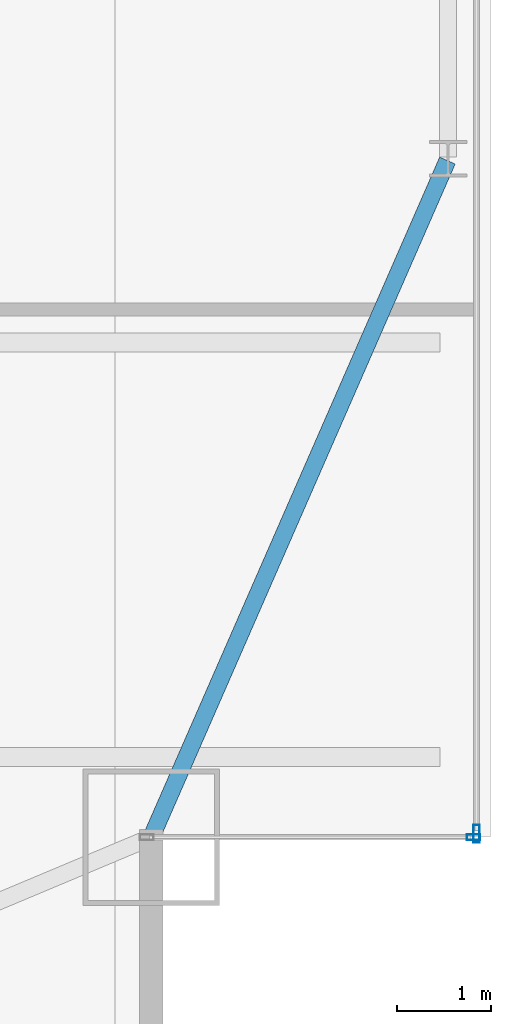
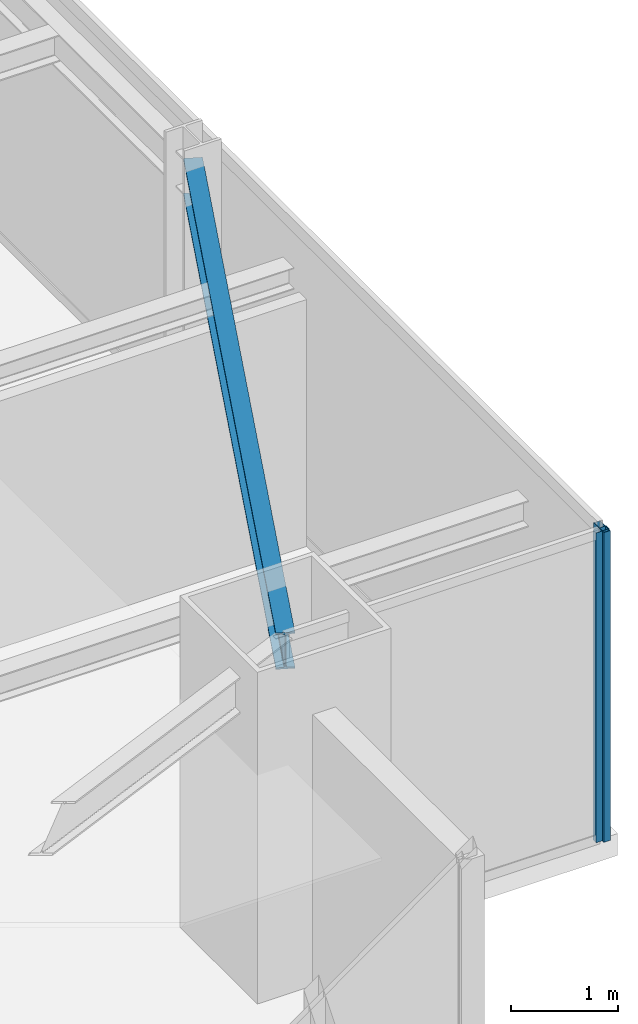
# One storey, part 16 of 30: 2 members, 1 beam, 2 elements without a shape of their own.
"""IFC4 building model written with IfcOpenShell, lengths in metres."""

from ifc_helpers import new_model, si_unit, direction, frame, origin, origin_2d, place, context, subcontext, project, spatial, hollow_rectangle, i_section, extrude, source, transform, mapped, material, layer, layer_set, material_profile, profile_set, type_object, type_shapes, element, aggregate, save


model = new_model("IFC4")

# Units and contexts
model_context = context("Model", 3, precision=1e-05, world=origin(), true_north=direction((0.0, 1.0)))
body_context = subcontext(model_context, "Body", "Model", "MODEL_VIEW")
ifc_project = project(units=[si_unit("LENGTHUNIT", "METRE"), si_unit("AREAUNIT", "SQUARE_METRE"), si_unit("VOLUMEUNIT", "CUBIC_METRE"), si_unit("PLANEANGLEUNIT", "RADIAN"), si_unit("MASSUNIT", "GRAM", prefix="KILO")], contexts=[model_context])

# Site, building, storey
site_placement = place(None, origin())
site = spatial("IfcSite", under=ifc_project, at=site_placement, CompositionType="ELEMENT")
building_placement = place(site_placement, origin())
building = spatial("IfcBuilding", under=site, at=building_placement, Name="Varnel Quay Broadcast Tower", CompositionType="ELEMENT")
storey_placement = place(building_placement, frame((0.0, 0.0, 122.0)))
storey = spatial("IfcBuildingStorey", under=building, at=storey_placement, Name="L29", CompositionType="ELEMENT", Elevation=122.0)

# Beam
ifc_material_1 = material(Name="Structural Steel CSA G40.21 350W", Category="steel")
ifc_material_profile_1 = material_profile(ifc_material_1, i_section(OverallWidth=0.180908203125, OverallDepth=0.4169921875, WebThickness=0.010986328125, FlangeThickness=0.018310546875, FilletRadius=0.011962890625, at=origin_2d()), Name="W410X85")
ifc_profile_set_1 = profile_set([ifc_material_profile_1], Name="Structural Steel CSA G40.21 350W")
beam_type = type_object("IfcBeamType", Name="Beam_W410X85", PredefinedType="SPANDREL", material=ifc_profile_set_1)
shared_shape_1 = source(origin(), body_context, "Body", "SweptSolid", [
    extrude(i_section(OverallWidth=0.180908203125, OverallDepth=0.4169921875, WebThickness=0.010986328125, FlangeThickness=0.018310546875, FilletRadius=0.011962890625, at=origin_2d()), origin(), (0.0, 0.0, 1.0), 7.81884765625),
])
type_shapes(beam_type, [shared_shape_1])
beam_placement = place(storey_placement, frame((59.907958984375, 7.818359375, 3.341552734375), z_axis=(0.400827023998, 0.916153751743, 0.0), x_axis=(-0.916153751743, 0.400827023998, 0.0)))
element("IfcBeam", 1, at=beam_placement, inside=storey, type_object=beam_type, Name="L29 East Spandrel MC-SE-TC-E1", PredefinedType="SPANDREL", context=body_context, shape_type="MappedRepresentation", body=[
    mapped(shared_shape_1, transform((0.0, 0.0, 0.0), x_axis=(1.0, 0.0, 0.0), y_axis=(0.0, 1.0, 0.0), z_axis=(0.0, 0.0, 1.0), scale=1.0)),
])

# Curtain wall, member
ifc_material_2 = material(Name="Anodised Bronze Aluminium 6063-T6", Category="aluminium")
ifc_layer_1 = layer(ifc_material_2, 0.18994140625, Name="Anodised Bronze Aluminium 6063-T6")
ifc_layer_set_1 = layer_set([ifc_layer_1], Name="Anodised Bronze Aluminium 6063-T6")
curtain_wall_type_1 = type_object("IfcCurtainWallType", Name="CW_LowerTower", PredefinedType="NOTDEFINED", material=ifc_layer_set_1)
curtain_wall_1_placement = place(storey_placement, origin())
curtain_wall_1 = element("IfcCurtainWall", 2, at=curtain_wall_1_placement, inside=storey, type_object=curtain_wall_type_1, Name="L29 East Unitised Curtain Wall", PredefinedType="NOTDEFINED")
ifc_material_profile_2 = material_profile(ifc_material_2, hollow_rectangle(XDim=0.070068359375, YDim=0.18994140625, WallThickness=0.00390625, at=origin_2d()), Name="ALU70X190X4")
ifc_profile_set_2 = profile_set([ifc_material_profile_2], Name="Anodised Bronze Aluminium 6063-T6")
member_type_1 = type_object("IfcMemberType", Name="Mull_CWS-02", PredefinedType="MULLION", material=ifc_profile_set_2)
shared_shape_2 = source(origin(), body_context, "Body", "SweptSolid", [
    extrude(hollow_rectangle(XDim=0.070068359375, YDim=0.18994140625, WallThickness=0.00390625, at=origin_2d()), origin(), (0.0, 0.0, 1.0), 3.550048828125),
])
type_shapes(member_type_1, [shared_shape_2])
member_1_placement = place(storey_placement, frame((63.35009765625, 7.8349609375, 0.0), z_axis=(0.0, 0.0, 1.0), x_axis=(-1.0, 0.0, 0.0)))
member_1 = element("IfcMember", 3, at=member_1_placement, type_object=member_type_1, Name="CWS-02 mullion 1", PredefinedType="MULLION", context=body_context, shape_type="MappedRepresentation", body=[
    mapped(shared_shape_2, transform((0.0, 0.0, 0.0), x_axis=(1.0, 0.0, 0.0), y_axis=(0.0, 1.0, 0.0), z_axis=(0.0, 0.0, 1.0), scale=1.0)),
])
aggregate(curtain_wall_1, [member_1])

ifc_layer_2 = layer(ifc_material_2, 0.18994140625, Name="Anodised Bronze Aluminium 6063-T6")
ifc_layer_set_2 = layer_set([ifc_layer_2], Name="Anodised Bronze Aluminium 6063-T6")
curtain_wall_type_2 = type_object("IfcCurtainWallType", Name="CW_NotchCorner", PredefinedType="NOTDEFINED", material=ifc_layer_set_2)
curtain_wall_2_placement = place(storey_placement, origin())
curtain_wall_2 = element("IfcCurtainWall", 4, at=curtain_wall_2_placement, inside=storey, type_object=curtain_wall_type_2, Name="L29 SE Notch Curtain Wall", PredefinedType="NOTDEFINED")
ifc_material_profile_3 = material_profile(ifc_material_2, hollow_rectangle(XDim=0.06005859375, YDim=0.14501953125, WallThickness=0.00341796875, at=origin_2d()), Name="ALU60X145X3.5")
ifc_profile_set_3 = profile_set([ifc_material_profile_3], Name="Anodised Bronze Aluminium 6063-T6")
member_type_2 = type_object("IfcMemberType", Name="Mull_CWS-04", PredefinedType="MULLION", material=ifc_profile_set_3)
shared_shape_3 = source(origin(), body_context, "Body", "SweptSolid", [
    extrude(hollow_rectangle(XDim=0.06005859375, YDim=0.14501953125, WallThickness=0.00341796875, at=origin_2d()), origin(), (0.0, 0.0, 1.0), 3.550048828125),
])
type_shapes(member_type_2, [shared_shape_3])
member_2_placement = place(storey_placement, frame((63.320068359375, 7.800048828125, 0.0), z_axis=(0.0, 0.0, 1.0), x_axis=(0.0, 1.0, 0.0)))
member_2 = element("IfcMember", 5, at=member_2_placement, type_object=member_type_2, Name="CWS-04 mullion 2", PredefinedType="MULLION", context=body_context, shape_type="MappedRepresentation", body=[
    mapped(shared_shape_3, transform((0.0, 0.0, 0.0), x_axis=(1.0, 0.0, 0.0), y_axis=(0.0, 1.0, 0.0), z_axis=(0.0, 0.0, 1.0), scale=1.0)),
])
aggregate(curtain_wall_2, [member_2])

save(model, "model.ifc")
